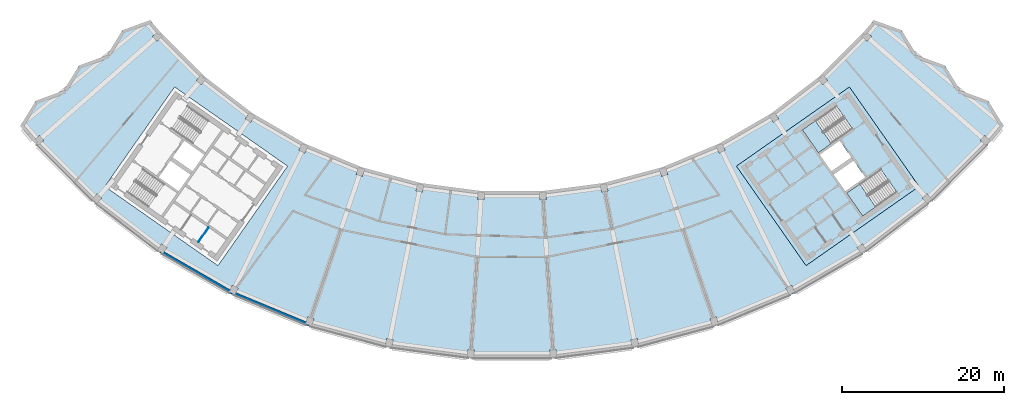
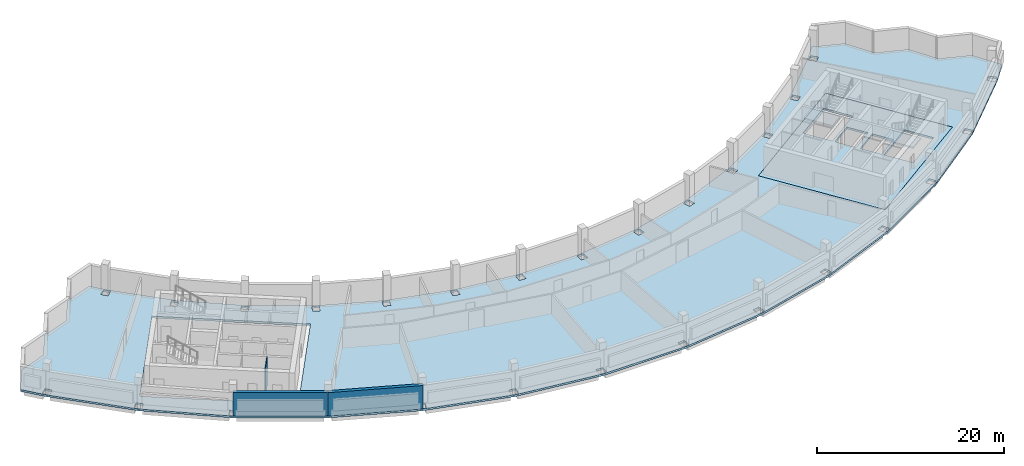
# One storey, part 2 of 11: 4 slabs, 3 walls, 2 elements without a shape of their own.
"""IFC4 building model written with IfcOpenShell, lengths in metres."""

from ifc_helpers import new_model, si_unit, direction, frame, frame_2d, origin, place, context, subcontext, project, spatial, polyline, rectangle, outline, extrude, material, layer, layer_set, type_object, element, aggregate, save


model = new_model("IFC4")

# Units and contexts
model_context = context("Model", 3, precision=1e-05, world=origin(), true_north=direction((0.0, 1.0)))
body_context = subcontext(model_context, "Body", "Model", "MODEL_VIEW")
ifc_project = project(units=[si_unit("LENGTHUNIT", "METRE"), si_unit("AREAUNIT", "SQUARE_METRE"), si_unit("VOLUMEUNIT", "CUBIC_METRE"), si_unit("PLANEANGLEUNIT", "RADIAN"), si_unit("MASSUNIT", "GRAM", prefix="KILO")], contexts=[model_context])

# Site, building, storey
site_placement = place(None, origin())
site = spatial("IfcSite", under=ifc_project, at=site_placement, CompositionType="ELEMENT")
building_placement = place(site_placement, origin())
building = spatial("IfcBuilding", under=site, at=building_placement, Name="Qamariyya Broadcast Tower", CompositionType="ELEMENT")
storey_placement = place(building_placement, frame((0.0, 0.0, 306.699951171875)))
storey = spatial("IfcBuildingStorey", under=building, at=storey_placement, Name="L74", CompositionType="ELEMENT", Elevation=306.699951171875)

# Slabs
ifc_material_1 = material(Name="Concrete C40/50", Category="concrete")
ifc_layer_1 = layer(ifc_material_1, 0.25)
ifc_layer_set_1 = layer_set([ifc_layer_1], Name="Core floor slab 250 mm Concrete C40/50")
slab_type_1 = type_object("IfcSlabType", Name="Core floor slab 250 mm Concrete C40/50", PredefinedType="FLOOR", material=ifc_layer_set_1)
slab_1_placement = place(storey_placement, frame((0.0, 0.0, -0.25)))
element("IfcSlab", 1, at=slab_1_placement, inside=storey, type_object=slab_type_1, Name="k-E-L74-slab", PredefinedType="FLOOR", context=body_context, shape_type="SweptSolid", body=[
    extrude(outline(polyline([(36.32373046875, -66.734375), (50.286376953125, -56.95751953125), (41.6826171875, -44.67041015625), (27.719970703125, -54.447021484375), (36.32373046875, -66.734375)]), holes=[polyline([(39.742431640625, -55.489990234375), (42.199951171875, -53.769287109375), (43.6337890625, -55.817138671875), (41.17626953125, -57.537841796875), (39.742431640625, -55.489990234375)]), polyline([(39.45556640625, -55.080322265625), (41.9130859375, -53.359619140625), (40.47900390625, -51.311767578125), (38.021728515625, -53.032470703125), (39.45556640625, -55.080322265625)]), polyline([(40.082275390625, -47.01171875), (35.870849609375, -49.960693359375), (37.849609375, -52.78662109375), (42.06103515625, -49.837890625), (40.082275390625, -47.01171875)]), polyline([(45.559814453125, -54.834716796875), (41.348388671875, -57.783447265625), (43.3271484375, -60.609619140625), (47.538818359375, -57.66064453125), (45.559814453125, -54.834716796875)])]), origin(), (0.0, 0.0, 1.0), 0.25),
])
ifc_layer_2 = layer(ifc_material_1, 0.25)
ifc_layer_set_2 = layer_set([ifc_layer_2], Name="Post-tensioned floor slab 250 C40/50")
slab_type_2 = type_object("IfcSlabType", Name="Post-tensioned floor slab 250 C40/50", PredefinedType="FLOOR", material=ifc_layer_set_2)
slab_2_placement = place(storey_placement, frame((0.0, 0.0, -0.25)))
element("IfcSlab", 2, at=slab_2_placement, inside=storey, type_object=slab_type_2, Name="Floor slab S5 L74", PredefinedType="FLOOR", context=body_context, shape_type="SweptSolid", body=[
    extrude(outline(polyline([(-58.822509765625, -46.367431640625), (-60.746826171875, -49.482666015625), (-58.90673828125, -51.65966796875), (-51.65966796875, -58.90673828125), (-43.52880859375, -65.145751953125), (-34.6533203125, -70.27001953125), (-25.184814453125, -74.19189453125), (-15.285400390625, -76.844482421875), (-5.124267578125, -78.18212890625), (5.124267578125, -78.18212890625), (15.285400390625, -76.844482421875), (25.184814453125, -74.19189453125), (34.6533203125, -70.27001953125), (43.52880859375, -65.145751953125), (51.65966796875, -58.90673828125), (58.90673828125, -51.65966796875), (60.746826171875, -49.482666015625), (58.822509765625, -46.367431640625), (55.397216796875, -45.125), (53.471923828125, -42.009033203125), (50.04736328125, -40.76708984375), (48.12109375, -37.650634765625), (44.697509765625, -36.409423828125), (43.343505859375, -38.01123046875), (38.01123046875, -43.343505859375), (32.028564453125, -47.934326171875), (25.498046875, -51.704833984375), (18.531005859375, -54.590576171875), (11.2470703125, -56.542236328125), (3.7705078125, -57.526611328125), (-3.7705078125, -57.526611328125), (-11.2470703125, -56.542236328125), (-18.531005859375, -54.590576171875), (-25.498046875, -51.704833984375), (-32.028564453125, -47.934326171875), (-38.01123046875, -43.343505859375), (-43.343505859375, -38.01123046875), (-44.697509765625, -36.409423828125), (-48.12109375, -37.650634765625), (-50.04736328125, -40.76708984375), (-53.471923828125, -42.009033203125), (-55.397216796875, -45.125), (-58.822509765625, -46.367431640625)]), holes=[polyline([(-4.71533203125, -78.058837890625), (-5.513671875, -78.00634765625), (-5.454833984375, -77.1083984375), (-4.656494140625, -77.16064453125), (-4.71533203125, -78.058837890625)]), polyline([(-15.6484375, -76.619384765625), (-15.472900390625, -75.736572265625), (-14.688232421875, -75.892822265625), (-14.86376953125, -76.775390625), (-15.6484375, -76.619384765625)]), polyline([(-25.515380859375, -73.92138671875), (-25.22607421875, -73.069091796875), (-24.468505859375, -73.326171875), (-24.7578125, -74.178466796875), (-25.515380859375, -73.92138671875)]), polyline([(-34.94580078125, -69.95849609375), (-34.547607421875, -69.1513671875), (-33.830078125, -69.505126953125), (-34.228271484375, -70.312255859375), (-34.94580078125, -69.95849609375)]), polyline([(-43.778076171875, -64.798583984375), (-43.278076171875, -64.05029296875), (-42.613037109375, -64.494873046875), (-43.113037109375, -65.2431640625), (-43.778076171875, -64.798583984375)]), polyline([(-51.861572265625, -58.530029296875), (-51.26806640625, -57.853515625), (-50.666748046875, -58.380859375), (-51.260009765625, -59.0576171875), (-51.861572265625, -58.530029296875)]), polyline([(-4.23828125, -58.548095703125), (-4.179443359375, -57.650146484375), (-3.381103515625, -57.702392578125), (-3.43994140625, -58.6005859375), (-4.23828125, -58.548095703125)]), polyline([(-11.843994140625, -57.494140625), (-11.66845703125, -56.611328125), (-10.8837890625, -56.767333984375), (-11.0595703125, -57.650146484375), (-11.843994140625, -57.494140625)]), polyline([(-50.286376953125, -56.95751953125), (-41.6826171875, -44.67041015625), (-27.719970703125, -54.447021484375), (-36.32373046875, -66.734375), (-50.286376953125, -56.95751953125)]), polyline([(-19.247314453125, -55.456298828125), (-18.9580078125, -54.60400390625), (-18.200439453125, -54.861083984375), (-18.48974609375, -55.71337890625), (-19.247314453125, -55.456298828125)]), polyline([(-26.321044921875, -52.469482421875), (-25.923095703125, -51.662353515625), (-25.20556640625, -52.01611328125), (-25.603515625, -52.8232421875), (-26.321044921875, -52.469482421875)]), polyline([(-59.0576171875, -51.260009765625), (-58.380859375, -50.666748046875), (-57.853515625, -51.26806640625), (-58.530029296875, -51.861572265625), (-59.0576171875, -51.260009765625)]), polyline([(-32.944580078125, -48.5849609375), (-32.444580078125, -47.836669921875), (-31.779296875, -48.28125), (-32.279296875, -49.029541015625), (-32.944580078125, -48.5849609375)]), polyline([(-39.00439453125, -43.869140625), (-38.410888671875, -43.192626953125), (-37.8095703125, -43.719970703125), (-38.40283203125, -44.396728515625), (-39.00439453125, -43.869140625)]), polyline([(-44.396728515625, -38.40283203125), (-43.719970703125, -37.8095703125), (-43.192626953125, -38.410888671875), (-43.869140625, -39.00439453125), (-44.396728515625, -38.40283203125)]), polyline([(5.513671875, -78.00634765625), (4.71533203125, -78.058837890625), (4.656494140625, -77.16064453125), (5.454833984375, -77.1083984375), (5.513671875, -78.00634765625)]), polyline([(14.86376953125, -76.775390625), (14.688232421875, -75.892822265625), (15.472900390625, -75.736572265625), (15.6484375, -76.619384765625), (14.86376953125, -76.775390625)]), polyline([(24.7578125, -74.178466796875), (24.468505859375, -73.326171875), (25.22607421875, -73.069091796875), (25.515380859375, -73.92138671875), (24.7578125, -74.178466796875)]), polyline([(34.228271484375, -70.312255859375), (33.830078125, -69.505126953125), (34.547607421875, -69.1513671875), (34.94580078125, -69.95849609375), (34.228271484375, -70.312255859375)]), polyline([(43.113037109375, -65.2431640625), (42.613037109375, -64.494873046875), (43.278076171875, -64.05029296875), (43.778076171875, -64.798583984375), (43.113037109375, -65.2431640625)]), polyline([(51.260009765625, -59.0576171875), (50.666748046875, -58.380859375), (51.26806640625, -57.853515625), (51.861572265625, -58.530029296875), (51.260009765625, -59.0576171875)]), polyline([(3.43994140625, -58.6005859375), (3.381103515625, -57.702392578125), (4.179443359375, -57.650146484375), (4.23828125, -58.548095703125), (3.43994140625, -58.6005859375)]), polyline([(11.0595703125, -57.650146484375), (10.8837890625, -56.767333984375), (11.66845703125, -56.611328125), (11.843994140625, -57.494140625), (11.0595703125, -57.650146484375)]), polyline([(36.32373046875, -66.734375), (27.719970703125, -54.447021484375), (41.6826171875, -44.67041015625), (50.286376953125, -56.95751953125), (36.32373046875, -66.734375)]), polyline([(18.48974609375, -55.71337890625), (18.200439453125, -54.861083984375), (18.9580078125, -54.60400390625), (19.247314453125, -55.456298828125), (18.48974609375, -55.71337890625)]), polyline([(25.603515625, -52.8232421875), (25.20556640625, -52.01611328125), (25.923095703125, -51.662353515625), (26.321044921875, -52.469482421875), (25.603515625, -52.8232421875)]), polyline([(58.530029296875, -51.861572265625), (57.853515625, -51.26806640625), (58.380859375, -50.666748046875), (59.0576171875, -51.260009765625), (58.530029296875, -51.861572265625)]), polyline([(32.279296875, -49.029541015625), (31.779296875, -48.28125), (32.444580078125, -47.836669921875), (32.944580078125, -48.5849609375), (32.279296875, -49.029541015625)]), polyline([(38.40283203125, -44.396728515625), (37.8095703125, -43.719970703125), (38.410888671875, -43.192626953125), (39.00439453125, -43.869140625), (38.40283203125, -44.396728515625)]), polyline([(43.869140625, -39.00439453125), (43.192626953125, -38.410888671875), (43.719970703125, -37.8095703125), (44.396728515625, -38.40283203125), (43.869140625, -39.00439453125)])]), origin(), (0.0, 0.0, 1.0), 0.25),
])

# Stair, slab
ifc_material_2 = material(Name="Concrete C50/60", Category="concrete")
stair_type = type_object("IfcStairType", Name="Exit stair 24 risers of 167 mm", PredefinedType="HALF_TURN_STAIR", material=ifc_material_2)
stair_1_placement = place(storey_placement, origin())
stair_1 = element("IfcStair", 3, at=stair_1_placement, inside=storey, type_object=stair_type, Name="L74 Stair E2", PredefinedType="HALF_TURN_STAIR")
ifc_layer_3 = layer(ifc_material_2, 0.199951171875)
ifc_layer_set_3 = layer_set([ifc_layer_3], Name="Stair landing")
slab_type_3 = type_object("IfcSlabType", Name="Stair landing", PredefinedType="LANDING", material=ifc_layer_set_3)
slab_3_placement = place(storey_placement, frame((0.0, 0.0, 1.800048828125)))
slab_3 = element("IfcSlab", 4, at=slab_3_placement, type_object=slab_type_3, Name="ST-E2 landing 1", PredefinedType="LANDING", context=body_context, shape_type="SweptSolid", body=[
    extrude(outline(polyline([(37.475830078125, -48.8369140625), (35.870849609375, -49.960693359375), (37.849609375, -52.78662109375), (39.45458984375, -51.662841796875), (37.475830078125, -48.8369140625)])), origin(), (0.0, 0.0, 1.0), 0.199951171875),
])
aggregate(stair_1, [slab_3])

stair_2_placement = place(storey_placement, origin())
stair_2 = element("IfcStair", 5, at=stair_2_placement, inside=storey, type_object=stair_type, Name="L74 Stair E1", PredefinedType="HALF_TURN_STAIR")
slab_4_placement = place(storey_placement, frame((0.0, 0.0, 1.800048828125)))
slab_4 = element("IfcSlab", 6, at=slab_4_placement, type_object=slab_type_3, Name="ST-E1 landing 1", PredefinedType="LANDING", context=body_context, shape_type="SweptSolid", body=[
    extrude(outline(polyline([(42.953369140625, -56.65966796875), (41.348388671875, -57.783447265625), (43.3271484375, -60.609619140625), (44.93212890625, -59.48583984375), (42.953369140625, -56.65966796875)])), origin(), (0.0, 0.0, 1.0), 0.199951171875),
])
aggregate(stair_2, [slab_4])

# Walls
ifc_material_3 = material(Name="Fire-rated gypsum shaft liner on steel studs", Category="steel")
ifc_layer_4 = layer(ifc_material_3, 0.10009765625)
ifc_layer_set_4 = layer_set([ifc_layer_4], Name="Riser wall 100 mm")
wall_type_1 = type_object("IfcWallType", Name="Riser wall 100 mm", PredefinedType="PLUMBINGWALL", material=ifc_layer_set_4)
wall_1_placement = place(storey_placement, frame((-37.47802734375, -62.01953125, 0.0), z_axis=(0.0, 0.0, 1.0), x_axis=(-0.573581496053, -0.819148501424, 0.0)))
element("IfcWall", 7, at=wall_1_placement, inside=storey, type_object=wall_type_1, Name="k-W-L74-SP265", PredefinedType="PLUMBINGWALL", context=body_context, shape_type="SweptSolid", body=[
    extrude(rectangle(XDim=2.2001953125, YDim=0.10009765625, at=frame_2d((1.10009765625, 0.0))), origin(), (0.0, 0.0, 1.0), 3.75),
])
ifc_material_4 = material(Name="Terracotta", Category="masonry")
ifc_layer_5 = layer(ifc_material_4, 0.39990234375)
ifc_layer_set_5 = layer_set([ifc_layer_5], Name="Solid terracotta louvred band wall 400")
wall_type_2 = type_object("IfcWallType", Name="Solid terracotta louvred band wall 400", PredefinedType="SOLIDWALL", material=ifc_layer_set_5)
wall_2_placement = place(storey_placement, frame((-43.37353515625, -65.00439453125, 0.0), z_axis=(0.0, 0.0, 1.0), x_axis=(0.866019679839, -0.500009914033, 0.0)))
element("IfcWall", 8, at=wall_2_placement, inside=storey, type_object=wall_type_2, Name="e-wl-L74-out30", PredefinedType="SOLIDWALL", context=body_context, shape_type="SweptSolid", body=[
    extrude(rectangle(XDim=10.120849609375, YDim=0.39990234375, at=frame_2d((5.060546875, 0.0))), origin(), (0.0, 0.0, 1.0), 3.050048828125),
])
wall_3_placement = place(storey_placement, frame((-34.587646484375, -70.08056640625, 0.0), z_axis=(0.0, 0.0, 1.0), x_axis=(0.923877211741, -0.382689035152, 0.0)))
element("IfcWall", 9, at=wall_3_placement, inside=storey, type_object=wall_type_2, Name="e-wl-L74-out40", PredefinedType="SOLIDWALL", context=body_context, shape_type="SweptSolid", body=[
    extrude(rectangle(XDim=10.2724609375, YDim=0.39990234375, at=frame_2d((5.13623046875, 0.0))), origin(), (0.0, 0.0, 1.0), 3.050048828125),
])

save(model, "model.ifc")
